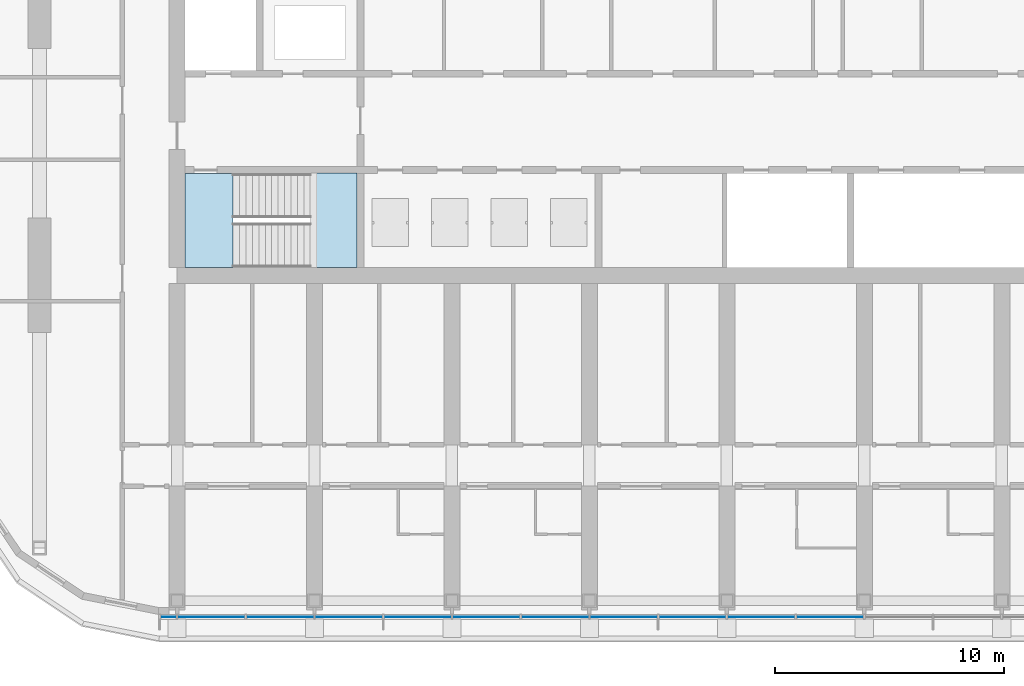
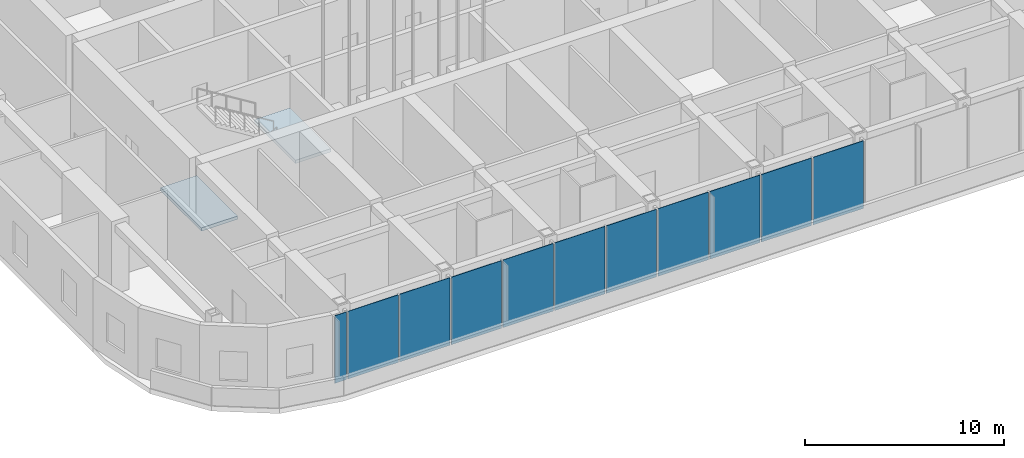
# One storey, part 7 of 35: 11 plates, 2 slabs, 2 elements without a shape of their own.
"""IFC4 building model written with IfcOpenShell, lengths in metres."""

from ifc_helpers import new_model, si_unit, direction, frame, origin, origin_2d, place, context, subcontext, project, spatial, polyline, rectangle, outline, extrude, material, layer, layer_set, type_object, element, aggregate, save


model = new_model("IFC4")

# Units and contexts
model_context = context("Model", 3, precision=1e-05, world=origin(), true_north=direction((0.0, 1.0)))
body_context = subcontext(model_context, "Body", "Model", "MODEL_VIEW")
ifc_project = project(units=[si_unit("LENGTHUNIT", "METRE"), si_unit("AREAUNIT", "SQUARE_METRE"), si_unit("VOLUMEUNIT", "CUBIC_METRE"), si_unit("PLANEANGLEUNIT", "RADIAN"), si_unit("MASSUNIT", "GRAM", prefix="KILO")], contexts=[model_context])

# Site, building, storey
site_placement = place(None, origin())
site = spatial("IfcSite", under=ifc_project, at=site_placement, CompositionType="ELEMENT")
building_placement = place(site_placement, origin())
building = spatial("IfcBuilding", under=site, at=building_placement, Name="Orbita Commons", CompositionType="ELEMENT")
storey_placement = place(building_placement, frame((0.0, 0.0, 208.300048828125)))
storey = spatial("IfcBuildingStorey", under=building, at=storey_placement, Name="L51", CompositionType="ELEMENT", Elevation=208.300048828125)

# Stair, slabs
ifc_material_1 = material(Name="Precast concrete C40/50", Category="concrete")
stair_type = type_object("IfcStairType", Name="Exit stair S1 2 flights 13 risers 173", PredefinedType="HALF_TURN_STAIR", material=ifc_material_1)
stair_placement = place(storey_placement, origin())
stair = element("IfcStair", 1, at=stair_placement, inside=storey, type_object=stair_type, Name="Exit stair S1 L51", PredefinedType="HALF_TURN_STAIR")
ifc_material_2 = material(Name="Concrete C40/50", Category="concrete")
ifc_layer_1 = layer(ifc_material_2, 0.199951171875)
ifc_layer_set_1 = layer_set([ifc_layer_1], Name="Concrete C40/50")
slab_type = type_object("IfcSlabType", Name="Stair landing 200", PredefinedType="LANDING", material=ifc_layer_set_1)
slab_1_placement = place(storey_placement, frame((0.0, 0.0, -0.199951171875)))
slab_1 = element("IfcSlab", 2, at=slab_1_placement, type_object=slab_type, Name="S1 landing 1", PredefinedType="LANDING", context=body_context, shape_type="SweptSolid", body=[
    extrude(outline(polyline([(18.35009765625, 26.14990234375), (20.449951171875, 26.14990234375), (20.449951171875, 30.25), (18.35009765625, 30.25), (18.35009765625, 26.14990234375)])), origin(), (0.0, 0.0, 1.0), 0.199951171875),
])
slab_2_placement = place(storey_placement, frame((0.0, 0.0, 2.050048828125)))
slab_2 = element("IfcSlab", 3, at=slab_2_placement, type_object=slab_type, Name="S1 landing 2", PredefinedType="LANDING", context=body_context, shape_type="SweptSolid", body=[
    extrude(outline(polyline([(23.81005859375, 26.135009765625), (25.864990234375, 26.135009765625), (25.864990234375, 30.264892578125), (23.81005859375, 30.264892578125), (23.81005859375, 26.135009765625)])), origin(), (0.0, 0.0, 1.0), 0.199951171875),
])
aggregate(stair, [slab_1, slab_2])

# Curtain wall, plates
ifc_material_3 = material(Name="Anodised aluminium frame, pale silver", Category="aluminium")
curtain_wall_type = type_object("IfcCurtainWallType", Name="Unitised curtain wall CW-S, full-height", PredefinedType="NOTDEFINED", material=ifc_material_3)
curtain_wall_placement = place(storey_placement, origin())
curtain_wall = element("IfcCurtainWall", 4, at=curtain_wall_placement, inside=storey, type_object=curtain_wall_type, Name="Curtain wall south L51", PredefinedType="NOTDEFINED")
ifc_material_4 = material(Name="Low-iron glass", Category="glass")
ifc_layer_2 = layer(ifc_material_4, 0.031982421875)
ifc_layer_set_2 = layer_set([ifc_layer_2], Name="Low-iron glass")
plate_type = type_object("IfcPlateType", Name="Vision panel, clear low-iron glazing 32", PredefinedType="CURTAIN_PANEL", material=ifc_layer_set_2)
plate_1_placement = place(storey_placement, frame((17.6201171875, 10.889892578125, 0.10009765625), z_axis=(0.0, 0.0, 1.0), x_axis=(1.0, 0.0, 0.0)))
plate_1 = element("IfcPlate", 5, at=plate_1_placement, type_object=plate_type, Name="Panel 1.1 CW-L51-S", PredefinedType="CURTAIN_PANEL", context=body_context, shape_type="SweptSolid", body=[
    extrude(rectangle(XDim=0.679931640625, YDim=0.031982421875, at=origin_2d()), origin(), (0.0, 0.0, 1.0), 4.14990234375),
])
plate_2_placement = place(storey_placement, frame((19.5, 10.889892578125, 0.10009765625), z_axis=(0.0, 0.0, 1.0), x_axis=(1.0, 0.0, 0.0)))
plate_2 = element("IfcPlate", 6, at=plate_2_placement, type_object=plate_type, Name="Panel 2.1 CW-L51-S", PredefinedType="CURTAIN_PANEL", context=body_context, shape_type="SweptSolid", body=[
    extrude(rectangle(XDim=2.919921875, YDim=0.031982421875, at=origin_2d()), origin(), (0.0, 0.0, 1.0), 4.14990234375),
])
plate_3_placement = place(storey_placement, frame((22.5, 10.889892578125, 0.10009765625), z_axis=(0.0, 0.0, 1.0), x_axis=(1.0, 0.0, 0.0)))
plate_3 = element("IfcPlate", 7, at=plate_3_placement, type_object=plate_type, Name="Panel 3.1 CW-L51-S", PredefinedType="CURTAIN_PANEL", context=body_context, shape_type="SweptSolid", body=[
    extrude(rectangle(XDim=2.919921875, YDim=0.031982421875, at=origin_2d()), origin(), (0.0, 0.0, 1.0), 4.14990234375),
])
plate_4_placement = place(storey_placement, frame((25.5, 10.889892578125, 0.10009765625), z_axis=(0.0, 0.0, 1.0), x_axis=(1.0, 0.0, 0.0)))
plate_4 = element("IfcPlate", 8, at=plate_4_placement, type_object=plate_type, Name="Panel 4.1 CW-L51-S", PredefinedType="CURTAIN_PANEL", context=body_context, shape_type="SweptSolid", body=[
    extrude(rectangle(XDim=2.919921875, YDim=0.031982421875, at=origin_2d()), origin(), (0.0, 0.0, 1.0), 4.14990234375),
])
plate_5_placement = place(storey_placement, frame((28.5, 10.889892578125, 0.10009765625), z_axis=(0.0, 0.0, 1.0), x_axis=(1.0, 0.0, 0.0)))
plate_5 = element("IfcPlate", 9, at=plate_5_placement, type_object=plate_type, Name="Panel 5.1 CW-L51-S", PredefinedType="CURTAIN_PANEL", context=body_context, shape_type="SweptSolid", body=[
    extrude(rectangle(XDim=2.919921875, YDim=0.031982421875, at=origin_2d()), origin(), (0.0, 0.0, 1.0), 4.14990234375),
])
plate_6_placement = place(storey_placement, frame((31.5, 10.889892578125, 0.10009765625), z_axis=(0.0, 0.0, 1.0), x_axis=(1.0, 0.0, 0.0)))
plate_6 = element("IfcPlate", 10, at=plate_6_placement, type_object=plate_type, Name="Panel 6.1 CW-L51-S", PredefinedType="CURTAIN_PANEL", context=body_context, shape_type="SweptSolid", body=[
    extrude(rectangle(XDim=2.919921875, YDim=0.031982421875, at=origin_2d()), origin(), (0.0, 0.0, 1.0), 4.14990234375),
])
plate_7_placement = place(storey_placement, frame((34.5, 10.889892578125, 0.10009765625), z_axis=(0.0, 0.0, 1.0), x_axis=(1.0, 0.0, 0.0)))
plate_7 = element("IfcPlate", 11, at=plate_7_placement, type_object=plate_type, Name="Panel 7.1 CW-L51-S", PredefinedType="CURTAIN_PANEL", context=body_context, shape_type="SweptSolid", body=[
    extrude(rectangle(XDim=2.919921875, YDim=0.031982421875, at=origin_2d()), origin(), (0.0, 0.0, 1.0), 4.14990234375),
])
plate_8_placement = place(storey_placement, frame((37.5, 10.889892578125, 0.10009765625), z_axis=(0.0, 0.0, 1.0), x_axis=(1.0, 0.0, 0.0)))
plate_8 = element("IfcPlate", 12, at=plate_8_placement, type_object=plate_type, Name="Panel 8.1 CW-L51-S", PredefinedType="CURTAIN_PANEL", context=body_context, shape_type="SweptSolid", body=[
    extrude(rectangle(XDim=2.919921875, YDim=0.031982421875, at=origin_2d()), origin(), (0.0, 0.0, 1.0), 4.14990234375),
])
plate_9_placement = place(storey_placement, frame((40.5, 10.889892578125, 0.10009765625), z_axis=(0.0, 0.0, 1.0), x_axis=(1.0, 0.0, 0.0)))
plate_9 = element("IfcPlate", 13, at=plate_9_placement, type_object=plate_type, Name="Panel 9.1 CW-L51-S", PredefinedType="CURTAIN_PANEL", context=body_context, shape_type="SweptSolid", body=[
    extrude(rectangle(XDim=2.919921875, YDim=0.031982421875, at=origin_2d()), origin(), (0.0, 0.0, 1.0), 4.14990234375),
])
plate_10_placement = place(storey_placement, frame((43.5, 10.889892578125, 0.10009765625), z_axis=(0.0, 0.0, 1.0), x_axis=(1.0, 0.0, 0.0)))
plate_10 = element("IfcPlate", 14, at=plate_10_placement, type_object=plate_type, Name="Panel 10.1 CW-L51-S", PredefinedType="CURTAIN_PANEL", context=body_context, shape_type="SweptSolid", body=[
    extrude(rectangle(XDim=2.919921875, YDim=0.031982421875, at=origin_2d()), origin(), (0.0, 0.0, 1.0), 4.14990234375),
])
plate_11_placement = place(storey_placement, frame((46.5, 10.889892578125, 0.10009765625), z_axis=(0.0, 0.0, 1.0), x_axis=(1.0, 0.0, 0.0)))
plate_11 = element("IfcPlate", 15, at=plate_11_placement, type_object=plate_type, Name="Panel 11.1 CW-L51-S", PredefinedType="CURTAIN_PANEL", context=body_context, shape_type="SweptSolid", body=[
    extrude(rectangle(XDim=2.919921875, YDim=0.031982421875, at=origin_2d()), origin(), (0.0, 0.0, 1.0), 4.14990234375),
])
aggregate(curtain_wall, [plate_1, plate_2, plate_3, plate_4, plate_5, plate_6, plate_7, plate_8, plate_9, plate_10, plate_11])

save(model, "model.ifc")
